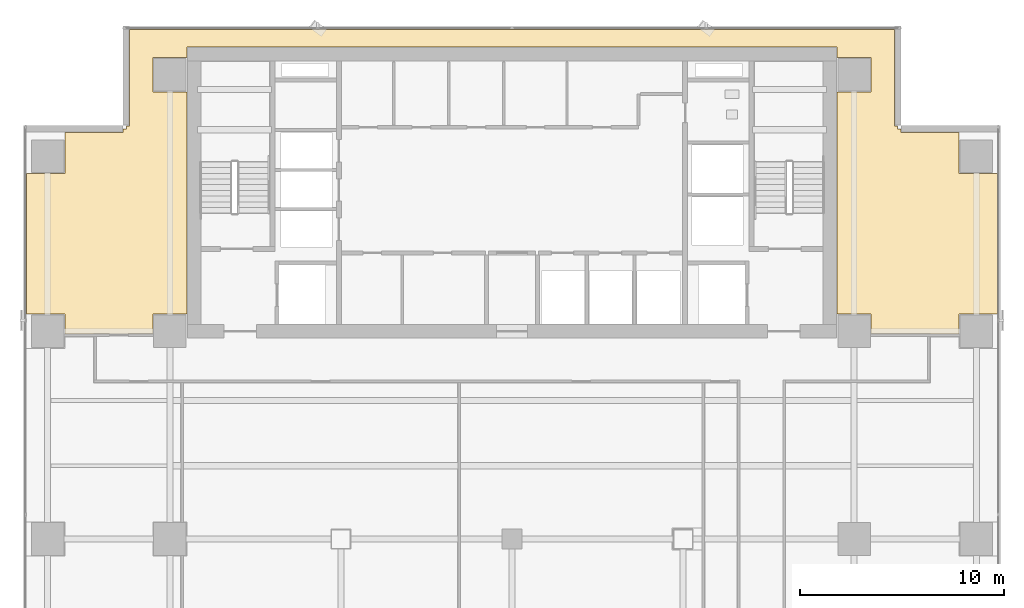
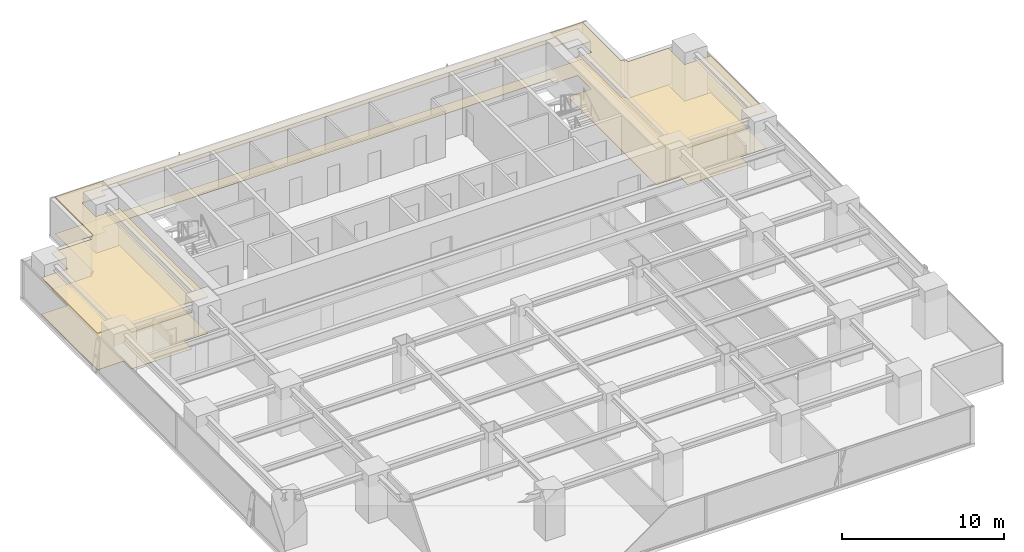
# One storey, part 25 of 27: 2 coverings.
"""IFC4 building model written with IfcOpenShell, lengths in metres."""

import ifcopenshell
import ifcopenshell.guid

model = None  # the IFC model being written
_history = None  # IfcOwnerHistory: only IFC2X3 demands one
_inside = {}  # id of a spatial element -> (the spatial element, [elements in it])
_under = {}  # id of a project, library or spatial element -> (it, [spatial elements below it])
_declared = {}  # id of a project -> (the project, [libraries it declares])
_typed = {}  # id of a type object -> (the type object, [elements of that type])
_made_of = {}  # id of a material, layer set ... -> (it, [elements and type objects made of it])


def new_model(schema):
    """Start an empty IFC model of exactly this schema.

    Asked for "IFC4X3", IfcOpenShell would pick the latest addendum, in which some entities
    have other attributes; the version numbers below select the first issue.
    IFC2X3 requires an IfcOwnerHistory on every rooted entity: one is made here for all.
    """
    global model, _history
    if schema == "IFC4X3":
        model = ifcopenshell.file(schema_version=(4, 3, 0, 0))
    else:
        model = ifcopenshell.file(schema=schema)
    _inside.clear()
    _under.clear()
    _declared.clear()
    _typed.clear()
    _made_of.clear()
    _history = None
    if model.schema == "IFC2X3":
        org = make("IfcOrganization", Name="unknown")
        user = make(
            "IfcPersonAndOrganization",
            ThePerson=make("IfcPerson", FamilyName="unknown"),
            TheOrganization=org,
        )
        app = make(
            "IfcApplication",
            ApplicationDeveloper=org,
            Version="unknown",
            ApplicationFullName="unknown",
            ApplicationIdentifier="unknown",
        )
        _history = make(
            "IfcOwnerHistory",
            OwningUser=user,
            OwningApplication=app,
            ChangeAction="ADDED",
            CreationDate=0,
        )
    return model


def make(cls, **values):
    """One entity of the class cls with the attributes given. An attribute that is None is left unset."""
    return model.create_entity(
        cls, **{name: value for name, value in values.items() if value is not None}
    )


def rooted(cls, **values):
    """An entity with a GlobalId (a new one), such as an element, a storey or a relation."""
    return make(cls, GlobalId=ifcopenshell.guid.new(), OwnerHistory=_history, **values)


def si_unit(unit_type, name, prefix=None):
    """IfcSIUnit, for example si_unit("LENGTHUNIT", "METRE", prefix="MILLI")."""
    return make("IfcSIUnit", UnitType=unit_type, Prefix=prefix, Name=name)


def assignment(units):
    """IfcUnitAssignment: the units of a project."""
    return None if units is None else make("IfcUnitAssignment", Units=units)


def point(xyz):
    """IfcCartesianPoint."""
    return None if xyz is None else make("IfcCartesianPoint", Coordinates=xyz)


def direction(xyz):
    """IfcDirection."""
    return None if xyz is None else make("IfcDirection", DirectionRatios=xyz)


def frame(location, z_axis=None, x_axis=None):
    """IfcAxis2Placement3D, a coordinate frame: its origin and axes. An axis left out is left unset."""
    return make(
        "IfcAxis2Placement3D",
        Location=point(location),
        Axis=direction(z_axis),
        RefDirection=direction(x_axis),
    )


def origin():
    """The frame at (0, 0, 0) with its axes left unset."""
    return frame((0.0, 0.0, 0.0))


def place(relative_to, where):
    """IfcLocalPlacement: puts the frame where relative to a parent placement (None: the world)."""
    return make(
        "IfcLocalPlacement", PlacementRelTo=relative_to, RelativePlacement=where
    )


def context(
    kind, dimensions, precision=None, world=None, true_north=None, identifier=None
):
    """IfcGeometricRepresentationContext, for example the 3D "Model" context."""
    return make(
        "IfcGeometricRepresentationContext",
        ContextIdentifier=identifier,
        ContextType=kind,
        CoordinateSpaceDimension=dimensions,
        Precision=precision,
        WorldCoordinateSystem=world,
        TrueNorth=true_north,
    )


def subcontext(parent, identifier, kind, view, scale=None):
    """IfcGeometricRepresentationSubContext, for example "Body" below "Model"."""
    return make(
        "IfcGeometricRepresentationSubContext",
        ContextIdentifier=identifier,
        ContextType=kind,
        ParentContext=parent,
        TargetScale=scale,
        TargetView=view,
    )


def project(units=None, contexts=None):
    """IfcProject with its units and contexts."""
    return rooted(
        "IfcProject",
        Name="project",
        RepresentationContexts=contexts,
        UnitsInContext=assignment(units),
    )


def spatial(cls, under=None, at=None, **own):
    """A site, building, storey or space (cls), placed at a placement, below another one or the project."""
    s = rooted(cls, ObjectPlacement=at, **own)
    if under is not None:
        _under.setdefault(under.id(), (under, []))[1].append(s)
    return s


def polyline(points):
    """IfcPolyline through the points."""
    return make("IfcPolyline", Points=[point(p) for p in points])


def outline(outer, holes=None, kind="AREA"):
    """IfcArbitraryClosedProfileDef: a profile drawn as a closed curve; with holes, ...WithVoids."""
    if holes is None:
        return make("IfcArbitraryClosedProfileDef", ProfileType=kind, OuterCurve=outer)
    return make(
        "IfcArbitraryProfileDefWithVoids",
        ProfileType=kind,
        OuterCurve=outer,
        InnerCurves=holes,
    )


def extrude(swept, where, along, depth):
    """IfcExtrudedAreaSolid: the profile swept, set in the frame where, extruded along a direction by depth."""
    return make(
        "IfcExtrudedAreaSolid",
        SweptArea=swept,
        Position=where,
        ExtrudedDirection=direction(along),
        Depth=depth,
    )


def shape(context_of_items, identifier, shape_type, items):
    """IfcShapeRepresentation: the items that make up one representation, for example the "Body"."""
    return make(
        "IfcShapeRepresentation",
        ContextOfItems=context_of_items,
        RepresentationIdentifier=identifier,
        RepresentationType=shape_type,
        Items=items,
    )


def material(Name=None, Category=None):
    """IfcMaterial."""
    return make("IfcMaterial", Name=Name, Category=Category)


def layer(
    of_material, thickness, ventilated=None, Name=None, Category=None, Priority=None
):
    """IfcMaterialLayer: one layer of a wall or slab, of a material (None: an air gap)."""
    return make(
        "IfcMaterialLayer",
        Material=of_material,
        LayerThickness=thickness,
        IsVentilated=ventilated,
        Name=Name,
        Category=Category,
        Priority=Priority,
    )


def layer_set(layers, Name=None):
    """IfcMaterialLayerSet."""
    return make("IfcMaterialLayerSet", MaterialLayers=layers, LayerSetName=Name)


def made_of(thing, what):
    """Note that an element or type object is made of a material, layer set ...; save() writes the relation."""
    if what is not None:
        _made_of.setdefault(what.id(), (what, []))[1].append(thing)
    return thing


def type_object(cls, material=None, **own):
    """A type object (cls), such as IfcWallType, which elements share."""
    return made_of(rooted(cls, **own), material)


def element(
    cls,
    number,
    at=None,
    inside=None,
    cuts=None,
    type_object=None,
    material=None,
    context=None,
    identifier="Body",
    shape_type=None,
    held_by="IfcProductDefinitionShape",
    body=None,
    shapes=None,
    **own,
):
    """One element of the class cls, such as IfcWall. Its Tag is "e" and its number.

    at: its placement. inside: the storey or other place that contains it. cuts: it is an
    opening in that element (IfcRelVoidsElement). A single representation is given by context,
    identifier, shape_type and body (its items); several are given by shapes. held_by: the class
    of the entity that holds the representations. save() writes the other relations.
    """
    e = rooted(cls, Tag="e%d" % number, ObjectPlacement=at, **own)
    if body is not None:
        shapes = [shape(context, identifier, shape_type, body)]
    if shapes is not None:
        e.Representation = make(held_by, Representations=shapes)
    if inside is not None:
        _inside.setdefault(inside.id(), (inside, []))[1].append(e)
    if cuts is not None:
        rooted(
            "IfcRelVoidsElement", RelatingBuildingElement=cuts, RelatedOpeningElement=e
        )
    if type_object is not None:
        _typed.setdefault(type_object.id(), (type_object, []))[1].append(e)
    return made_of(e, material)


def aggregate(whole, parts):
    """IfcRelAggregates: a whole, such as a stair, and the parts it consists of."""
    return rooted("IfcRelAggregates", RelatingObject=whole, RelatedObjects=parts)


def save(model, path):
    """Write the relations noted so far, then the file.

    IfcRelAggregates (storeys below a building ...), IfcRelContainedInSpatialStructure (elements
    in a storey), IfcRelDefinesByType, IfcRelAssociatesMaterial and IfcRelDeclares: one each for
    every whole, place, type object, material and project.
    """
    for whole, parts in _under.values():
        aggregate(whole, parts)
    for where, things in _inside.values():
        rooted(
            "IfcRelContainedInSpatialStructure",
            RelatedElements=things,
            RelatingStructure=where,
        )
    for kind, things in _typed.values():
        rooted("IfcRelDefinesByType", RelatedObjects=things, RelatingType=kind)
    for what, things in _made_of.values():
        rooted("IfcRelAssociatesMaterial", RelatedObjects=things, RelatingMaterial=what)
    for by, libraries in _declared.values():
        rooted("IfcRelDeclares", RelatingContext=by, RelatedDefinitions=libraries)
    model.write(path)


model = new_model("IFC4")

# Units and contexts
model_context = context("Model", 3, precision=1e-05, world=origin(), true_north=direction((0.0, 1.0)))
body_context = subcontext(model_context, "Body", "Model", "MODEL_VIEW")
ifc_project = project(units=[si_unit("LENGTHUNIT", "METRE"), si_unit("AREAUNIT", "SQUARE_METRE"), si_unit("VOLUMEUNIT", "CUBIC_METRE"), si_unit("PLANEANGLEUNIT", "RADIAN"), si_unit("MASSUNIT", "GRAM", prefix="KILO")], contexts=[model_context])

# Site, building, storey
site_placement = place(None, origin())
site = spatial("IfcSite", under=ifc_project, at=site_placement, CompositionType="ELEMENT")
building_placement = place(site_placement, origin())
building = spatial("IfcBuilding", under=site, at=building_placement, Name="Sumidabori Civic Tower", CompositionType="ELEMENT")
storey_placement = place(building_placement, frame((0.0, 0.0, 138.800048828125)))
storey = spatial("IfcBuildingStorey", under=building, at=storey_placement, Name="L35", CompositionType="ELEMENT", Elevation=138.800048828125)

# Coverings
ifc_material_1 = material(Name="Gypsum Coffered Acoustic Ceiling")
ifc_layer_1 = layer(ifc_material_1, 0.06494140625, Name="Gypsum Coffered Acoustic Ceiling")
ifc_layer_set_1 = layer_set([ifc_layer_1], Name="Gypsum Coffered Acoustic Ceiling")
covering_type_1 = type_object("IfcCoveringType", Name="CV-CEIL-AC4", PredefinedType="CEILING", material=ifc_layer_set_1)
covering_1_placement = place(storey_placement, frame((0.0, 0.0, 2.72998046875)))
element("IfcCovering", 1, at=covering_1_placement, inside=storey, type_object=covering_type_1, Name="Room Acoustic Ceiling L35-01", PredefinedType="CEILING", context=body_context, shape_type="SweptSolid", body=[
    extrude(outline(polyline([(-23.830078125, 17.9599609375), (-21.9599609375, 17.9599609375), (-21.9599609375, 19.971923828125), (-19.092041015625, 19.971923828125), (-19.092041015625, 20.1298828125), (-18.929931640625, 20.1298828125), (-18.929931640625, 20.2919921875), (-18.77197265625, 20.2919921875), (-18.77197265625, 25.030029296875), (18.77197265625, 25.030029296875), (18.77197265625, 20.2919921875), (18.929931640625, 20.2919921875), (18.929931640625, 20.1298828125), (19.092041015625, 20.1298828125), (19.092041015625, 19.971923828125), (21.9599609375, 19.971923828125), (21.9599609375, 17.9599609375), (23.830078125, 17.9599609375), (23.830078125, 11.0400390625), (21.9599609375, 11.0400390625), (21.9599609375, 10.080078125), (20.5400390625, 10.080078125), (20.5400390625, 10.090087890625), (17.639892578125, 10.090087890625), (17.639892578125, 11.0400390625), (15.952880859375, 11.0400390625), (15.952880859375, 21.9599609375), (17.639892578125, 21.9599609375), (17.639892578125, 23.639892578125), (15.952880859375, 23.639892578125), (15.952880859375, 24.153076171875), (-15.952880859375, 24.153076171875), (-15.952880859375, 23.639892578125), (-17.639892578125, 23.639892578125), (-17.639892578125, 21.9599609375), (-15.952880859375, 21.9599609375), (-15.952880859375, 11.0400390625), (-17.639892578125, 11.0400390625), (-17.639892578125, 10.090087890625), (-20.5400390625, 10.090087890625), (-20.5400390625, 10.080078125), (-21.9599609375, 10.080078125), (-21.9599609375, 11.0400390625), (-23.830078125, 11.0400390625), (-23.830078125, 17.9599609375)])), origin(), (0.0, 0.0, 1.0), 0.06494140625),
])
ifc_material_2 = material(Name="Honed Terrazzo Tile Flooring")
ifc_layer_2 = layer(ifc_material_2, 0.030029296875, Name="Honed Terrazzo Tile Flooring")
ifc_layer_set_2 = layer_set([ifc_layer_2], Name="Honed Terrazzo Tile Flooring")
covering_type_2 = type_object("IfcCoveringType", Name="CV-FLR-TER", PredefinedType="FLOORING", material=ifc_layer_set_2)
covering_2_placement = place(storey_placement, origin())
element("IfcCovering", 2, at=covering_2_placement, inside=storey, type_object=covering_type_2, Name="Room Terrazzo Floor L35-01", PredefinedType="FLOORING", context=body_context, shape_type="SweptSolid", body=[
    extrude(outline(polyline([(-23.830078125, 17.9599609375), (-21.9599609375, 17.9599609375), (-21.9599609375, 19.971923828125), (-19.092041015625, 19.971923828125), (-19.092041015625, 20.1298828125), (-18.929931640625, 20.1298828125), (-18.929931640625, 20.2919921875), (-18.77197265625, 20.2919921875), (-18.77197265625, 25.030029296875), (18.77197265625, 25.030029296875), (18.77197265625, 20.2919921875), (18.929931640625, 20.2919921875), (18.929931640625, 20.1298828125), (19.092041015625, 20.1298828125), (19.092041015625, 19.971923828125), (21.9599609375, 19.971923828125), (21.9599609375, 17.9599609375), (23.830078125, 17.9599609375), (23.830078125, 11.0400390625), (21.9599609375, 11.0400390625), (21.9599609375, 10.080078125), (20.5400390625, 10.080078125), (20.5400390625, 10.090087890625), (17.639892578125, 10.090087890625), (17.639892578125, 11.0400390625), (15.952880859375, 11.0400390625), (15.952880859375, 21.9599609375), (17.639892578125, 21.9599609375), (17.639892578125, 23.639892578125), (15.952880859375, 23.639892578125), (15.952880859375, 24.153076171875), (-15.952880859375, 24.153076171875), (-15.952880859375, 23.639892578125), (-17.639892578125, 23.639892578125), (-17.639892578125, 21.9599609375), (-15.952880859375, 21.9599609375), (-15.952880859375, 11.0400390625), (-17.639892578125, 11.0400390625), (-17.639892578125, 10.090087890625), (-20.5400390625, 10.090087890625), (-20.5400390625, 10.080078125), (-21.9599609375, 10.080078125), (-21.9599609375, 11.0400390625), (-23.830078125, 11.0400390625), (-23.830078125, 17.9599609375)])), origin(), (0.0, 0.0, 1.0), 0.030029296875),
])

save(model, "model.ifc")
